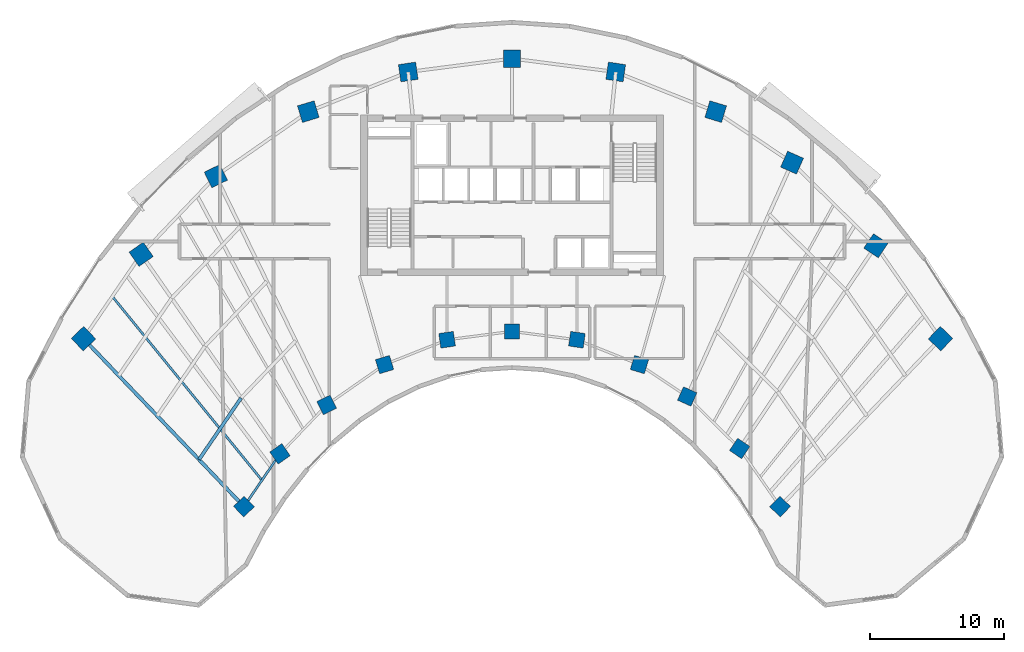
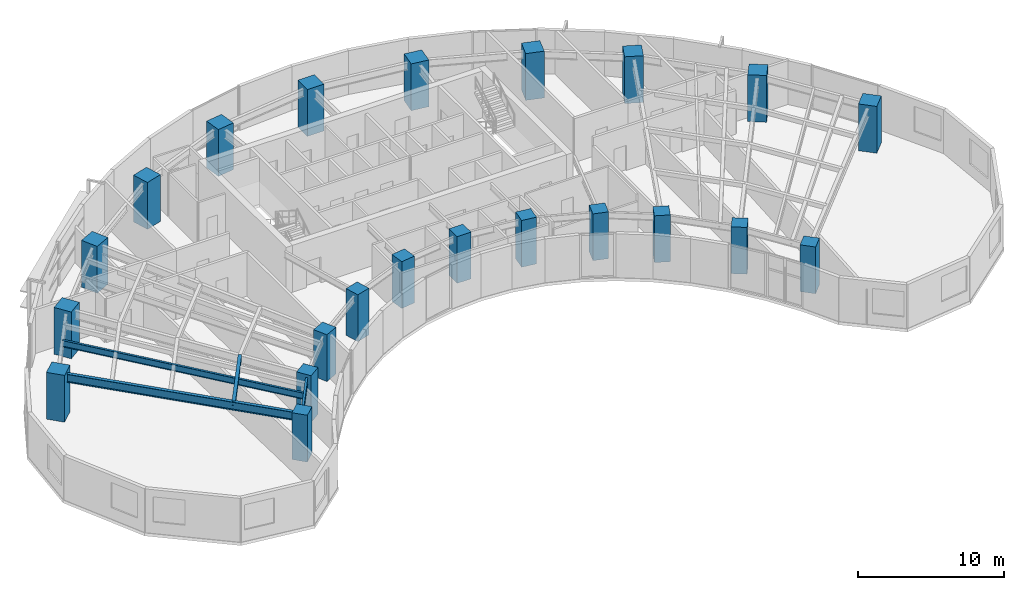
# One storey, part 1 of 14: 22 columns, 4 beams.
"""IFC4 building model written with IfcOpenShell, lengths in metres."""

from ifc_helpers import new_model, si_unit, direction, frame, origin, origin_2d, place, context, subcontext, project, spatial, rectangle, hollow_rectangle, i_section, extrude, source, transform, mapped, material, material_profile, profile_set, type_object, type_shapes, element, save


model = new_model("IFC4")

# Units and contexts
model_context = context("Model", 3, precision=1e-05, world=origin(), true_north=direction((0.0, 1.0)))
body_context = subcontext(model_context, "Body", "Model", "MODEL_VIEW")
ifc_project = project(units=[si_unit("LENGTHUNIT", "METRE"), si_unit("AREAUNIT", "SQUARE_METRE"), si_unit("VOLUMEUNIT", "CUBIC_METRE"), si_unit("PLANEANGLEUNIT", "RADIAN"), si_unit("MASSUNIT", "GRAM", prefix="KILO")], contexts=[model_context])

# Site, building, storey
site_placement = place(None, origin())
site = spatial("IfcSite", under=ifc_project, at=site_placement, CompositionType="ELEMENT")
building_placement = place(site_placement, origin())
building = spatial("IfcBuilding", under=site, at=building_placement, Name="Breltana Convention Tower", CompositionType="ELEMENT")
storey_placement = place(building_placement, frame((0.0, 0.0, 135.0)))
storey = spatial("IfcBuildingStorey", under=building, at=storey_placement, Name="L32", CompositionType="ELEMENT", Elevation=135.0)

# Columns
ifc_material_1 = material(Name="Concrete C60/75", Category="concrete")
ifc_material_profile_1 = material_profile(ifc_material_1, rectangle(XDim=1.10009765625, YDim=1.10009765625, at=origin_2d()), Name="RC-COL-1100X1100")
ifc_profile_set_1 = profile_set([ifc_material_profile_1], Name="Concrete C60/75")
column_type_1 = type_object("IfcColumnType", Name="COL-RC-1100", PredefinedType="COLUMN", material=ifc_profile_set_1)
shared_shape_1 = source(origin(), body_context, "Body", "SweptSolid", [
    extrude(rectangle(XDim=1.10009765625, YDim=1.10009765625, at=origin_2d()), origin(), (0.0, 0.0, 1.0), 3.89990234375),
])
for number, where, z_axis, x_axis, name in (
    (1, (27.984619140625, 42.95458984375, 0.0), (0.0, 0.0, 1.0), (-0.690756218984, 0.723087716626, 0.0), "L32 Tower Column R01-IN"),
    (2, (30.67724609375, 46.892333984375, 0.0), (0.0, 0.0, 1.0), (-0.571143442153, 0.820850271661, 0.0), "L32 Tower Column R02-IN"),
    (3, (34.166259765625, 50.544921875, 0.0), (0.0, 0.0, 1.0), (-0.436173672171, 0.899862504889, 0.0), "L32 Tower Column R03-IN"),
    (4, (38.485107421875, 53.5576171875, 0.0), (0.0, 0.0, 1.0), (-0.288697611798, 0.957420330337, 0.0), "L32 Tower Column R04-IN"),
    (5, (43.153564453125, 55.41064453125, 0.0), (0.0, 0.0, 1.0), (-0.143492621991, 0.98965138682, 0.0), "L32 Tower Column R05-IN"),
    (6, (48.0, 56.035888671875, 0.0), (0.0, 0.0, 1.0), (0.0, 1.0, 0.0), "L32 Tower Column R06-IN"),
    (7, (52.846435546875, 55.41064453125, 0.0), (0.0, 0.0, 1.0), (0.143492621991, 0.98965138682, 0.0), "L32 Tower Column R07-IN"),
    (8, (57.514892578125, 53.5576171875, 0.0), (0.0, 0.0, 1.0), (0.288697611798, 0.957420330337, 0.0), "L32 Tower Column R08-IN"),
    (9, (61.08203125, 51.174560546875, 0.0), (0.0, 0.0, 1.0), (0.409126902895, 0.912477494148, 0.0), "L32 Tower Column R09-IN"),
    (10, (64.995849609375, 47.293701171875, 0.0), (0.0, 0.0, 1.0), (0.55774510898, 0.830012285095, 0.0), "L32 Tower Column R10-IN"),
    (11, (68.015380859375, 42.95458984375, 0.0), (0.0, 0.0, 1.0), (0.690756218984, 0.723087716626, 0.0), "L32 Tower Column R11-IN"),
):
    element("IfcColumn", number, at=place(storey_placement, frame(where, z_axis=z_axis, x_axis=x_axis)), inside=storey, type_object=column_type_1, Name=name, PredefinedType="COLUMN", context=body_context, shape_type="MappedRepresentation", body=[
        mapped(shared_shape_1, transform((0.0, 0.0, 0.0), scale=1.0)),
    ])
ifc_material_profile_2 = material_profile(ifc_material_1, rectangle(XDim=1.300048828125, YDim=1.300048828125, at=origin_2d()), Name="RC-COL-1300X1300")
ifc_profile_set_2 = profile_set([ifc_material_profile_2], Name="Concrete C60/75")
column_type_2 = type_object("IfcColumnType", Name="COL-RC-1300", PredefinedType="COLUMN", material=ifc_profile_set_2)
shared_shape_2 = source(origin(), body_context, "Body", "SweptSolid", [
    extrude(rectangle(XDim=1.300048828125, YDim=1.300048828125, at=origin_2d()), origin(), (0.0, 0.0, 1.0), 3.89990234375),
])
for number, where, z_axis, x_axis, name in (
    (12, (16.0068359375, 55.494384765625, 0.0), (0.0, 0.0, 1.0), (-0.690756218984, 0.723087716626, 0.0), "L32 Tower Column R01-OUT"),
    (13, (20.310791015625, 61.78857421875, 0.0), (0.0, 0.0, 1.0), (-0.571143442153, 0.820850271661, 0.0), "L32 Tower Column R02-OUT"),
    (14, (25.8876953125, 67.626953125, 0.0), (0.0, 0.0, 1.0), (-0.436173672171, 0.899862504889, 0.0), "L32 Tower Column R03-OUT"),
    (15, (32.791015625, 72.4423828125, 0.0), (0.0, 0.0, 1.0), (-0.288697611798, 0.957420330337, 0.0), "L32 Tower Column R04-OUT"),
    (16, (40.253173828125, 75.404296875, 0.0), (0.0, 0.0, 1.0), (-0.143492621991, 0.98965138682, 0.0), "L32 Tower Column R05-OUT"),
    (17, (48.0, 76.404052734375, 0.0), (0.0, 0.0, 1.0), (0.0, 1.0, 0.0), "L32 Tower Column R06-OUT"),
    (18, (55.746826171875, 75.404296875, 0.0), (0.0, 0.0, 1.0), (0.143492621991, 0.98965138682, 0.0), "L32 Tower Column R07-OUT"),
    (19, (63.208984375, 72.4423828125, 0.0), (0.0, 0.0, 1.0), (0.288697611798, 0.957420330337, 0.0), "L32 Tower Column R08-OUT"),
    (20, (68.910400390625, 68.63330078125, 0.0), (0.0, 0.0, 1.0), (0.409126902895, 0.912477494148, 0.0), "L32 Tower Column R09-OUT"),
    (21, (75.166748046875, 62.43017578125, 0.0), (0.0, 0.0, 1.0), (0.55774510898, 0.830012285095, 0.0), "L32 Tower Column R10-OUT"),
    (22, (79.9931640625, 55.494384765625, 0.0), (0.0, 0.0, 1.0), (0.690756218984, 0.723087716626, 0.0), "L32 Tower Column R11-OUT"),
):
    element("IfcColumn", number, at=place(storey_placement, frame(where, z_axis=z_axis, x_axis=x_axis)), inside=storey, type_object=column_type_2, Name=name, PredefinedType="COLUMN", context=body_context, shape_type="MappedRepresentation", body=[
        mapped(shared_shape_2, transform((0.0, 0.0, 0.0), scale=1.0)),
    ])

# Beams
ifc_material_2 = material(Name="Steel ASTM A992 Grade 50", Category="steel")
ifc_material_profile_3 = material_profile(ifc_material_2, i_section(OverallWidth=0.25390625, OverallDepth=0.68798828125, WebThickness=0.01318359375, FlangeThickness=0.02099609375, at=origin_2d()), Name="W27X102")
ifc_profile_set_3 = profile_set([ifc_material_profile_3], Name="Steel ASTM A992 Grade 50")
beam_type_1 = type_object("IfcBeamType", Name="BM-RG-W27X102", PredefinedType="USERDEFINED", material=ifc_profile_set_3)
shared_shape_3 = source(origin(), body_context, "Body", "SweptSolid", [
    extrude(i_section(OverallWidth=0.25390625, OverallDepth=0.68798828125, WebThickness=0.01318359375, FlangeThickness=0.02099609375, at=origin_2d()), origin(), (0.0, 0.0, 1.0), 17.341064453125),
])
type_shapes(beam_type_1, [shared_shape_3])
beam_1_placement = place(storey_placement, frame((27.984619140625, 42.95458984375, 3.305908203125), z_axis=(-0.690716462293, 0.723125693581, 0.0), x_axis=(-0.723125693581, -0.690716462293, 0.0)))
element("IfcBeam", 23, at=beam_1_placement, inside=storey, type_object=beam_type_1, Name="L32 Radial Floor Girder R01", ObjectType="GIRDER", PredefinedType="USERDEFINED", context=body_context, shape_type="MappedRepresentation", body=[
    mapped(shared_shape_3, transform((0.0, 0.0, 0.0), scale=1.0)),
])
ifc_material_profile_4 = material_profile(ifc_material_2, i_section(OverallWidth=0.166015625, OverallDepth=0.534912109375, WebThickness=0.01025390625, FlangeThickness=0.0166015625, at=origin_2d()), Name="W21X57")
ifc_profile_set_4 = profile_set([ifc_material_profile_4], Name="Steel ASTM A992 Grade 50")
beam_type_2 = type_object("IfcBeamType", Name="BM-BM-W21X57", PredefinedType="BEAM", material=ifc_profile_set_4)
shared_shape_4 = source(origin(), body_context, "Body", "SweptSolid", [
    extrude(i_section(OverallWidth=0.166015625, OverallDepth=0.534912109375, WebThickness=0.01025390625, FlangeThickness=0.0166015625, at=origin_2d()), origin(), (0.0, 0.0, 1.0), 4.770263671875),
])
beam_2_placement = place(storey_placement, frame((27.984619140625, 42.95458984375, 3.382568359375), z_axis=(0.564452719055, 0.82546540082, 0.0), x_axis=(-0.82546540082, 0.564452719055, 0.0)))
element("IfcBeam", 24, at=beam_2_placement, inside=storey, type_object=beam_type_2, Name="L32 Inner Ring Beam 01", PredefinedType="BEAM", context=body_context, shape_type="MappedRepresentation", body=[
    mapped(shared_shape_4, transform((0.0, 0.0, 0.0), scale=1.0)),
])
ifc_material_profile_5 = material_profile(ifc_material_2, hollow_rectangle(XDim=0.25, YDim=0.35009765625, WallThickness=0.011962890625, at=origin_2d()), Name="RHS350X250X12")
ifc_profile_set_5 = profile_set([ifc_material_profile_5], Name="Steel ASTM A992 Grade 50")
beam_type_3 = type_object("IfcBeamType", Name="BM-JSG-12", PredefinedType="JOIST", material=ifc_profile_set_5)
shared_shape_5 = source(origin(), body_context, "Body", "SweptSolid", [
    extrude(hollow_rectangle(XDim=0.25, YDim=0.35009765625, WallThickness=0.011962890625, at=origin_2d()), origin(), (0.0, 0.0, 1.0), 5.569580078125),
])
beam_3_placement = place(storey_placement, frame((24.630615234375, 46.4658203125, 3.47509765625), z_axis=(0.564493760458, 0.825437335237, 0.0), x_axis=(-0.825437335237, 0.564493760458, 0.0)))
element("IfcBeam", 25, at=beam_3_placement, inside=storey, type_object=beam_type_3, Name="L32 Composite Floor Joist 01.1", PredefinedType="JOIST", context=body_context, shape_type="MappedRepresentation", body=[
    mapped(shared_shape_5, transform((0.0, 0.0, 0.0), scale=1.0)),
])
ifc_material_profile_6 = material_profile(ifc_material_2, i_section(OverallWidth=0.166015625, OverallDepth=0.534912109375, WebThickness=0.01025390625, FlangeThickness=0.0166015625, at=origin_2d()), Name="W21X57")
ifc_profile_set_6 = profile_set([ifc_material_profile_6], Name="Steel ASTM A992 Grade 50")
beam_type_4 = type_object("IfcBeamType", Name="BM-JSG-05", PredefinedType="JOIST", material=ifc_profile_set_6)
shared_shape_6 = source(origin(), body_context, "Body", "SweptSolid", [
    extrude(i_section(OverallWidth=0.166015625, OverallDepth=0.534912109375, WebThickness=0.01025390625, FlangeThickness=0.0166015625, at=origin_2d()), origin(), (0.0, 0.0, 1.0), 17.691650390625),
])
beam_4_placement = place(storey_placement, frame((29.330810546875, 44.923583984375, 3.382568359375), z_axis=(-0.631476958478, 0.775394642044, 0.0), x_axis=(-0.775394642044, -0.631476958478, 0.0)))
element("IfcBeam", 26, at=beam_4_placement, inside=storey, type_object=beam_type_4, Name="L32 Mid-Bay Radial Trimmer 01", PredefinedType="JOIST", context=body_context, shape_type="MappedRepresentation", body=[
    mapped(shared_shape_6, transform((0.0, 0.0, 0.0), scale=1.0)),
])

save(model, "model.ifc")
